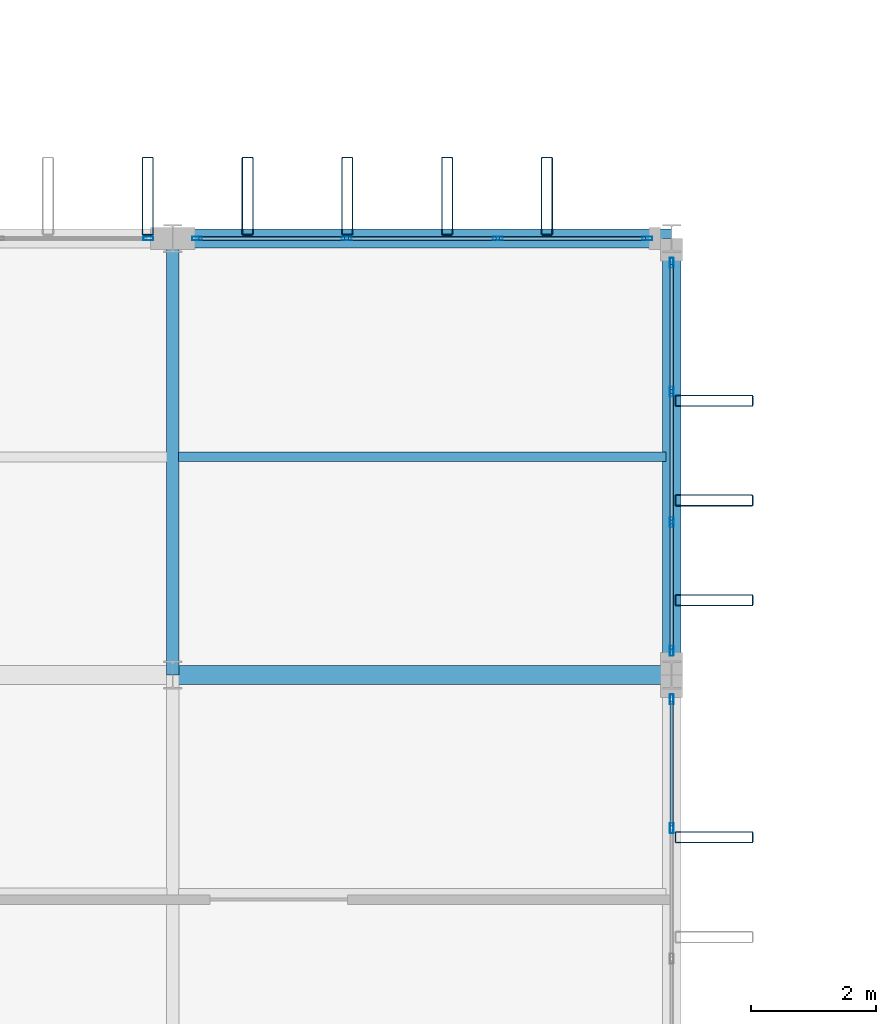
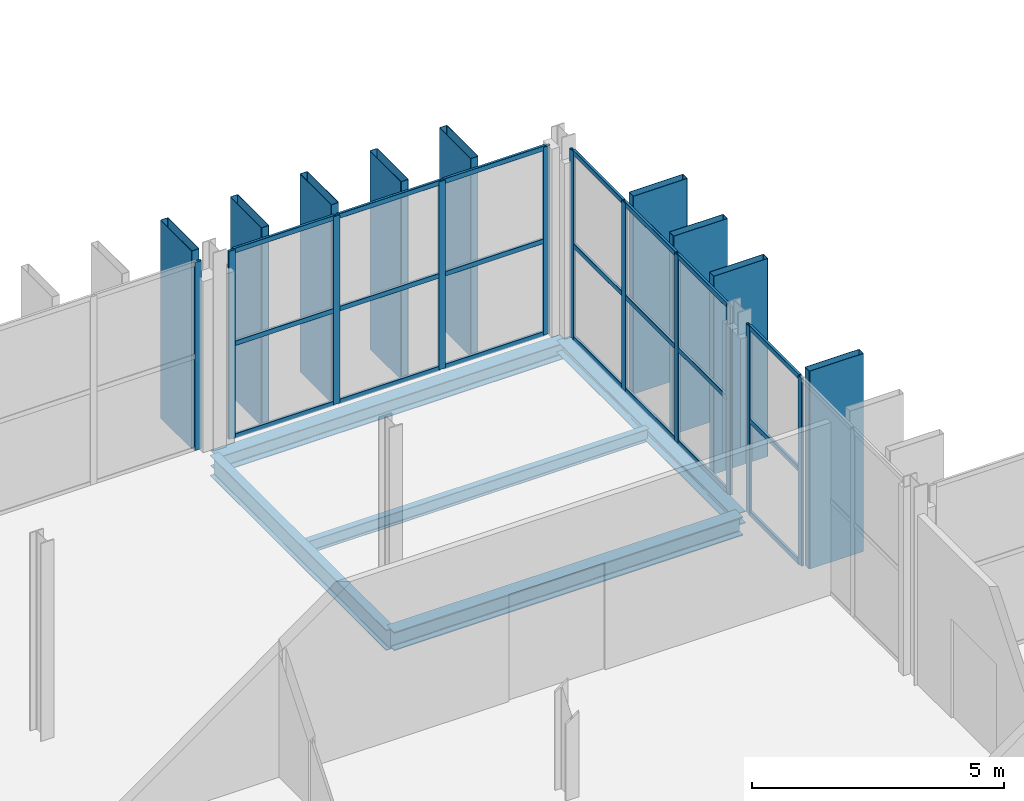
# One storey, part 52 of 120: 41 members, 5 beams, 4 elements without a shape of their own.
"""IFC4 building model written with IfcOpenShell, lengths in metres."""

from ifc_helpers import new_model, si_unit, direction, frame, origin, origin_2d, place, context, subcontext, project, spatial, hollow_rectangle, i_section, extrude, material, layer, layer_set, material_profile, profile_set, type_object, element, aggregate, save


model = new_model("IFC4")

# Units and contexts
model_context = context("Model", 3, precision=1e-05, world=origin(), true_north=direction((0.0, 1.0)))
body_context = subcontext(model_context, "Body", "Model", "MODEL_VIEW")
ifc_project = project(units=[si_unit("LENGTHUNIT", "METRE"), si_unit("AREAUNIT", "SQUARE_METRE"), si_unit("VOLUMEUNIT", "CUBIC_METRE"), si_unit("PLANEANGLEUNIT", "RADIAN"), si_unit("MASSUNIT", "GRAM", prefix="KILO")], contexts=[model_context])

# Site, building, storey
site_placement = place(None, origin())
site = spatial("IfcSite", under=ifc_project, at=site_placement, CompositionType="ELEMENT")
building_placement = place(site_placement, origin())
building = spatial("IfcBuilding", under=site, at=building_placement, Name="Vekula Escarpment Museum", CompositionType="ELEMENT")
storey_placement = place(building_placement, frame((0.0, 0.0, 13.199951171875)))
storey = spatial("IfcBuildingStorey", under=building, at=storey_placement, Name="L03", CompositionType="ELEMENT", Elevation=13.199951171875)

# Beams
ifc_material_1 = material(Name="Steel S355", Category="steel")
ifc_material_profile_1 = material_profile(ifc_material_1, i_section(OverallWidth=0.300048828125, OverallDepth=0.449951171875, WebThickness=0.013916015625, FlangeThickness=0.02587890625, FilletRadius=0.027099609375, at=origin_2d()), Name="HEB 450")
ifc_profile_set_1 = profile_set([ifc_material_profile_1], Name="Steel S355")
beam_type_1 = type_object("IfcBeamType", Name="BM-GIRD-HEB450", PredefinedType="BEAM", material=ifc_profile_set_1)
beam_1_placement = place(storey_placement, frame((118.0, 83.39990234375, -0.474853515625), z_axis=(1.0, 0.0, 0.0), x_axis=(0.0, 1.0, 0.0)))
element("IfcBeam", 1, at=beam_1_placement, inside=storey, type_object=beam_type_1, Name="Beam X L03 1412", PredefinedType="BEAM", context=body_context, shape_type="SweptSolid", body=[
    extrude(i_section(OverallWidth=0.300048828125, OverallDepth=0.449951171875, WebThickness=0.013916015625, FlangeThickness=0.02587890625, FilletRadius=0.027099609375, at=origin_2d()), origin(), (0.0, 0.0, 1.0), 8.0),
])
ifc_material_2 = material(Name="Steel S355", Category="steel")
ifc_material_profile_2 = material_profile(ifc_material_2, i_section(OverallWidth=0.199951171875, OverallDepth=0.5, WebThickness=0.01025390625, FlangeThickness=0.01611328125, FilletRadius=0.02099609375, at=origin_2d()), Name="IPE 500")
ifc_profile_set_2 = profile_set([ifc_material_profile_2], Name="Steel S355")
beam_type_2 = type_object("IfcBeamType", Name="BM-GIRD-IPE500", PredefinedType="BEAM", material=ifc_profile_set_2)
beam_2_placement = place(storey_placement, frame((118.0, 83.39990234375, -0.5), z_axis=(0.0, 1.0, 0.0), x_axis=(-1.0, 0.0, 0.0)))
element("IfcBeam", 2, at=beam_2_placement, inside=storey, type_object=beam_type_2, Name="Beam Y L03 1623", PredefinedType="BEAM", context=body_context, shape_type="SweptSolid", body=[
    extrude(i_section(OverallWidth=0.199951171875, OverallDepth=0.5, WebThickness=0.01025390625, FlangeThickness=0.01611328125, FilletRadius=0.02099609375, at=origin_2d()), origin(), (0.0, 0.0, 1.0), 7.0),
])
ifc_material_3 = material(Name="Steel S355", Category="steel")
ifc_material_profile_3 = material_profile(ifc_material_3, i_section(OverallWidth=0.14990234375, OverallDepth=0.300048828125, WebThickness=0.007080078125, FlangeThickness=0.0107421875, FilletRadius=0.014892578125, at=origin_2d()), Name="IPE 300")
ifc_profile_set_3 = profile_set([ifc_material_profile_3], Name="Steel S355")
beam_type_3 = type_object("IfcBeamType", Name="BM-JST-IPE300", PredefinedType="JOIST", material=ifc_profile_set_3)
beam_3_placement = place(storey_placement, frame((118.090087890625, 86.89990234375, -0.39990234375), z_axis=(1.0, 0.0, 0.0), x_axis=(0.0, 1.0, 0.0)))
element("IfcBeam", 3, at=beam_3_placement, inside=storey, type_object=beam_type_3, Name="Secondary Joist L03 1073", PredefinedType="JOIST", context=body_context, shape_type="SweptSolid", body=[
    extrude(i_section(OverallWidth=0.14990234375, OverallDepth=0.300048828125, WebThickness=0.007080078125, FlangeThickness=0.0107421875, FilletRadius=0.014892578125, at=origin_2d()), origin(), (0.0, 0.0, 1.0), 7.81982421875),
])
ifc_material_4 = material(Name="Steel S355", Category="steel")
ifc_material_profile_4 = material_profile(ifc_material_4, i_section(OverallWidth=0.300048828125, OverallDepth=0.2900390625, WebThickness=0.008544921875, FlangeThickness=0.013916015625, FilletRadius=0.027099609375, at=origin_2d()), Name="HEA 300")
ifc_profile_set_4 = profile_set([ifc_material_profile_4], Name="Steel S355")
beam_type_4 = type_object("IfcBeamType", Name="BM-SPAN-HEA300", PredefinedType="SPANDREL", material=ifc_profile_set_4)
beam_4_placement = place(storey_placement, frame((126.0, 83.39990234375, -0.39501953125), z_axis=(0.0, 1.0, 0.0), x_axis=(-1.0, 0.0, 0.0)))
element("IfcBeam", 4, at=beam_4_placement, inside=storey, type_object=beam_type_4, Name="Beam Y L03 1630", PredefinedType="SPANDREL", context=body_context, shape_type="SweptSolid", body=[
    extrude(i_section(OverallWidth=0.300048828125, OverallDepth=0.2900390625, WebThickness=0.008544921875, FlangeThickness=0.013916015625, FilletRadius=0.027099609375, at=origin_2d()), origin(), (0.0, 0.0, 1.0), 7.0),
])
ifc_material_5 = material(Name="Steel S355", Category="steel")
ifc_material_profile_5 = material_profile(ifc_material_5, i_section(OverallWidth=0.300048828125, OverallDepth=0.389892578125, WebThickness=0.010986328125, FlangeThickness=0.01904296875, FilletRadius=0.027099609375, at=origin_2d()), Name="HEA 400")
ifc_profile_set_5 = profile_set([ifc_material_profile_5], Name="Steel S355")
beam_type_5 = type_object("IfcBeamType", Name="BM-SPAN-HEA400", PredefinedType="SPANDREL", material=ifc_profile_set_5)
beam_5_placement = place(storey_placement, frame((118.0, 90.39990234375, -0.445068359375), z_axis=(1.0, 0.0, 0.0), x_axis=(0.0, 1.0, 0.0)))
element("IfcBeam", 5, at=beam_5_placement, inside=storey, type_object=beam_type_5, Name="Beam X L03 1422", PredefinedType="SPANDREL", context=body_context, shape_type="SweptSolid", body=[
    extrude(i_section(OverallWidth=0.300048828125, OverallDepth=0.389892578125, WebThickness=0.010986328125, FlangeThickness=0.01904296875, FilletRadius=0.027099609375, at=origin_2d()), origin(), (0.0, 0.0, 1.0), 8.0),
])

# Curtain wall, members
ifc_material_6 = material(Name="Aluminium thermally broken framing", Category="aluminium")
ifc_layer_1 = layer(ifc_material_6, 0.159912109375)
ifc_layer_set_1 = layer_set([ifc_layer_1], Name="Aluminium thermally broken framing")
curtain_wall_type_1 = type_object("IfcCurtainWallType", Name="CW-SYS-01", PredefinedType="NOTDEFINED", material=ifc_layer_set_1)
curtain_wall_1_placement = place(storey_placement, origin())
curtain_wall_1 = element("IfcCurtainWall", 6, at=curtain_wall_1_placement, inside=storey, type_object=curtain_wall_type_1, Name="Curtain Wall CW-L03-121", PredefinedType="NOTDEFINED")
ifc_material_7 = material(Name="Aluminium anodized mullion", Category="aluminium")
ifc_material_profile_6 = material_profile(ifc_material_7, hollow_rectangle(XDim=0.06005859375, YDim=0.159912109375, WallThickness=0.00390625, InnerFilletRadius=0.00390625, OuterFilletRadius=0.008056640625, at=origin_2d()), Name="ALU 160x60x4")
ifc_profile_set_6 = profile_set([ifc_material_profile_6], Name="Aluminium anodized mullion")
member_type_1 = type_object("IfcMemberType", Name="CW-MUL-160", PredefinedType="MULLION", material=ifc_profile_set_6)
member_1_placement = place(storey_placement, frame((126.0, 80.94677734375, 0.0), z_axis=(0.0, 0.0, 1.0), x_axis=(-1.0, 0.0, 0.0)))
member_1 = element("IfcMember", 7, at=member_1_placement, type_object=member_type_1, Name="CW-01 mullion 3", PredefinedType="MULLION", context=body_context, shape_type="SweptSolid", body=[
    extrude(hollow_rectangle(XDim=0.06005859375, YDim=0.159912109375, WallThickness=0.00390625, InnerFilletRadius=0.00390625, OuterFilletRadius=0.008056640625, at=origin_2d()), origin(), (0.0, 0.0, 1.0), 4.56005859375),
])
member_2_placement = place(storey_placement, frame((126.0, 83.010009765625, 0.0), z_axis=(0.0, 0.0, 1.0), x_axis=(-1.0, 0.0, 0.0)))
member_2 = element("IfcMember", 8, at=member_2_placement, type_object=member_type_1, Name="CW-01 mullion 4", PredefinedType="MULLION", context=body_context, shape_type="SweptSolid", body=[
    extrude(hollow_rectangle(XDim=0.06005859375, YDim=0.159912109375, WallThickness=0.00390625, InnerFilletRadius=0.00390625, OuterFilletRadius=0.008056640625, at=origin_2d()), origin(), (0.0, 0.0, 1.0), 4.56005859375),
])

ifc_material_8 = material(Name="Aluminium thermally broken framing", Category="aluminium")
ifc_layer_2 = layer(ifc_material_8, 0.159912109375)
ifc_layer_set_2 = layer_set([ifc_layer_2], Name="Aluminium thermally broken framing")
curtain_wall_type_2 = type_object("IfcCurtainWallType", Name="CW-SYS-02", PredefinedType="NOTDEFINED", material=ifc_layer_set_2)
curtain_wall_2_placement = place(storey_placement, origin())
curtain_wall_2 = element("IfcCurtainWall", 9, at=curtain_wall_2_placement, inside=storey, type_object=curtain_wall_type_2, Name="Curtain Wall CW-L03-122", PredefinedType="NOTDEFINED")
member_3_placement = place(storey_placement, frame((126.0, 83.7900390625, 0.0), z_axis=(0.0, 0.0, 1.0), x_axis=(-1.0, 0.0, 0.0)))
member_3 = element("IfcMember", 10, at=member_3_placement, type_object=member_type_1, Name="CW-02 mullion 1", PredefinedType="MULLION", context=body_context, shape_type="SweptSolid", body=[
    extrude(hollow_rectangle(XDim=0.06005859375, YDim=0.159912109375, WallThickness=0.00390625, InnerFilletRadius=0.00390625, OuterFilletRadius=0.008056640625, at=origin_2d()), origin(), (0.0, 0.0, 1.0), 4.56005859375),
])
member_4_placement = place(storey_placement, frame((126.0, 85.853271484375, 0.0), z_axis=(0.0, 0.0, 1.0), x_axis=(-1.0, 0.0, 0.0)))
member_4 = element("IfcMember", 11, at=member_4_placement, type_object=member_type_1, Name="CW-02 mullion 2", PredefinedType="MULLION", context=body_context, shape_type="SweptSolid", body=[
    extrude(hollow_rectangle(XDim=0.06005859375, YDim=0.159912109375, WallThickness=0.00390625, InnerFilletRadius=0.00390625, OuterFilletRadius=0.008056640625, at=origin_2d()), origin(), (0.0, 0.0, 1.0), 4.56005859375),
])
member_5_placement = place(storey_placement, frame((126.0, 87.94677734375, 0.0), z_axis=(0.0, 0.0, 1.0), x_axis=(-1.0, 0.0, 0.0)))
member_5 = element("IfcMember", 12, at=member_5_placement, type_object=member_type_1, Name="CW-02 mullion 3", PredefinedType="MULLION", context=body_context, shape_type="SweptSolid", body=[
    extrude(hollow_rectangle(XDim=0.06005859375, YDim=0.159912109375, WallThickness=0.00390625, InnerFilletRadius=0.00390625, OuterFilletRadius=0.008056640625, at=origin_2d()), origin(), (0.0, 0.0, 1.0), 4.56005859375),
])
member_6_placement = place(storey_placement, frame((126.0, 90.010009765625, 0.0), z_axis=(0.0, 0.0, 1.0), x_axis=(-1.0, 0.0, 0.0)))
member_6 = element("IfcMember", 13, at=member_6_placement, type_object=member_type_1, Name="CW-02 mullion 4", PredefinedType="MULLION", context=body_context, shape_type="SweptSolid", body=[
    extrude(hollow_rectangle(XDim=0.06005859375, YDim=0.159912109375, WallThickness=0.00390625, InnerFilletRadius=0.00390625, OuterFilletRadius=0.008056640625, at=origin_2d()), origin(), (0.0, 0.0, 1.0), 4.56005859375),
])

ifc_material_9 = material(Name="Aluminium thermally broken framing", Category="aluminium")
ifc_layer_3 = layer(ifc_material_9, 0.199951171875)
ifc_layer_set_3 = layer_set([ifc_layer_3], Name="Aluminium thermally broken framing")
curtain_wall_type_3 = type_object("IfcCurtainWallType", Name="CW-SYS-03", PredefinedType="NOTDEFINED", material=ifc_layer_set_3)
curtain_wall_3_placement = place(storey_placement, origin())
curtain_wall_3 = element("IfcCurtainWall", 14, at=curtain_wall_3_placement, inside=storey, type_object=curtain_wall_type_3, Name="Curtain Wall CW-L03-123", PredefinedType="NOTDEFINED")
member_7_placement = place(storey_placement, frame((125.610107421875, 90.39990234375, 0.0), z_axis=(0.0, 0.0, 1.0), x_axis=(0.0, -1.0, 0.0)))
member_7 = element("IfcMember", 15, at=member_7_placement, type_object=member_type_1, Name="CW-03 mullion 1", PredefinedType="MULLION", context=body_context, shape_type="SweptSolid", body=[
    extrude(hollow_rectangle(XDim=0.06005859375, YDim=0.159912109375, WallThickness=0.00390625, InnerFilletRadius=0.00390625, OuterFilletRadius=0.008056640625, at=origin_2d()), origin(), (0.0, 0.0, 1.0), 4.56005859375),
])
member_8_placement = place(storey_placement, frame((123.21337890625, 90.39990234375, 0.0), z_axis=(0.0, 0.0, 1.0), x_axis=(0.0, -1.0, 0.0)))
member_8 = element("IfcMember", 16, at=member_8_placement, type_object=member_type_1, Name="CW-03 mullion 2", PredefinedType="MULLION", context=body_context, shape_type="SweptSolid", body=[
    extrude(hollow_rectangle(XDim=0.06005859375, YDim=0.159912109375, WallThickness=0.00390625, InnerFilletRadius=0.00390625, OuterFilletRadius=0.008056640625, at=origin_2d()), origin(), (0.0, 0.0, 1.0), 4.56005859375),
])
member_9_placement = place(storey_placement, frame((120.78662109375, 90.39990234375, 0.0), z_axis=(0.0, 0.0, 1.0), x_axis=(0.0, -1.0, 0.0)))
member_9 = element("IfcMember", 17, at=member_9_placement, type_object=member_type_1, Name="CW-03 mullion 3", PredefinedType="MULLION", context=body_context, shape_type="SweptSolid", body=[
    extrude(hollow_rectangle(XDim=0.06005859375, YDim=0.159912109375, WallThickness=0.00390625, InnerFilletRadius=0.00390625, OuterFilletRadius=0.008056640625, at=origin_2d()), origin(), (0.0, 0.0, 1.0), 4.56005859375),
])
member_10_placement = place(storey_placement, frame((118.389892578125, 90.39990234375, 0.0), z_axis=(0.0, 0.0, 1.0), x_axis=(0.0, -1.0, 0.0)))
member_10 = element("IfcMember", 18, at=member_10_placement, type_object=member_type_1, Name="CW-03 mullion 4", PredefinedType="MULLION", context=body_context, shape_type="SweptSolid", body=[
    extrude(hollow_rectangle(XDim=0.06005859375, YDim=0.159912109375, WallThickness=0.00390625, InnerFilletRadius=0.00390625, OuterFilletRadius=0.008056640625, at=origin_2d()), origin(), (0.0, 0.0, 1.0), 4.56005859375),
])

# Curtain wall, member
ifc_material_10 = material(Name="Aluminium thermally broken framing", Category="aluminium")
ifc_layer_4 = layer(ifc_material_10, 0.199951171875)
ifc_layer_set_4 = layer_set([ifc_layer_4], Name="Aluminium thermally broken framing")
curtain_wall_type_4 = type_object("IfcCurtainWallType", Name="CW-SYS-04", PredefinedType="NOTDEFINED", material=ifc_layer_set_4)
curtain_wall_4_placement = place(storey_placement, origin())
curtain_wall_4 = element("IfcCurtainWall", 19, at=curtain_wall_4_placement, inside=storey, type_object=curtain_wall_type_4, Name="Curtain Wall CW-L03-124", PredefinedType="NOTDEFINED")
member_11_placement = place(storey_placement, frame((117.610107421875, 90.39990234375, 0.0), z_axis=(0.0, 0.0, 1.0), x_axis=(0.0, -1.0, 0.0)))
member_11 = element("IfcMember", 20, at=member_11_placement, type_object=member_type_1, Name="CW-04 mullion 1", PredefinedType="MULLION", context=body_context, shape_type="SweptSolid", body=[
    extrude(hollow_rectangle(XDim=0.06005859375, YDim=0.159912109375, WallThickness=0.00390625, InnerFilletRadius=0.00390625, OuterFilletRadius=0.008056640625, at=origin_2d()), origin(), (0.0, 0.0, 1.0), 4.56005859375),
])
aggregate(curtain_wall_4, [member_11])

# Member
ifc_material_11 = material(Name="Aluminium anodized transom", Category="aluminium")
ifc_material_profile_7 = material_profile(ifc_material_11, hollow_rectangle(XDim=0.06005859375, YDim=0.1201171875, WallThickness=0.00390625, InnerFilletRadius=0.00390625, OuterFilletRadius=0.008056640625, at=origin_2d()), Name="ALU 120x60x4")
ifc_profile_set_7 = profile_set([ifc_material_profile_7], Name="Aluminium anodized transom")
member_type_2 = type_object("IfcMemberType", Name="CW-TRN-120", PredefinedType="USERDEFINED", material=ifc_profile_set_7)
member_12_placement = place(storey_placement, frame((126.0, 80.9765625, 0.030029296875), z_axis=(0.0, 1.0, 0.0), x_axis=(-1.0, 0.0, 0.0)))
member_12 = element("IfcMember", 21, at=member_12_placement, type_object=member_type_2, Name="CW-01 transom 3.1", ObjectType="TRANSOM", PredefinedType="USERDEFINED", context=body_context, shape_type="SweptSolid", body=[
    extrude(hollow_rectangle(XDim=0.06005859375, YDim=0.1201171875, WallThickness=0.00390625, InnerFilletRadius=0.00390625, OuterFilletRadius=0.008056640625, at=origin_2d()), origin(), (0.0, 0.0, 1.0), 2.00341796875),
])

member_13_placement = place(storey_placement, frame((126.0, 80.9765625, 2.280029296875), z_axis=(0.0, 1.0, 0.0), x_axis=(-1.0, 0.0, 0.0)))
member_13 = element("IfcMember", 22, at=member_13_placement, type_object=member_type_2, Name="CW-01 transom 3.2", ObjectType="TRANSOM", PredefinedType="USERDEFINED", context=body_context, shape_type="SweptSolid", body=[
    extrude(hollow_rectangle(XDim=0.06005859375, YDim=0.1201171875, WallThickness=0.00390625, InnerFilletRadius=0.00390625, OuterFilletRadius=0.008056640625, at=origin_2d()), origin(), (0.0, 0.0, 1.0), 2.00341796875),
])

member_14_placement = place(storey_placement, frame((126.0, 80.9765625, 4.530029296875), z_axis=(0.0, 1.0, 0.0), x_axis=(-1.0, 0.0, 0.0)))
member_14 = element("IfcMember", 23, at=member_14_placement, type_object=member_type_2, Name="CW-01 transom 3.3", ObjectType="TRANSOM", PredefinedType="USERDEFINED", context=body_context, shape_type="SweptSolid", body=[
    extrude(hollow_rectangle(XDim=0.06005859375, YDim=0.1201171875, WallThickness=0.00390625, InnerFilletRadius=0.00390625, OuterFilletRadius=0.008056640625, at=origin_2d()), origin(), (0.0, 0.0, 1.0), 2.00341796875),
])

aggregate(curtain_wall_1, [member_1, member_2, member_12, member_13, member_14])

member_15_placement = place(storey_placement, frame((126.0, 83.820068359375, 0.030029296875), z_axis=(0.0, 1.0, 0.0), x_axis=(-1.0, 0.0, 0.0)))
member_15 = element("IfcMember", 24, at=member_15_placement, type_object=member_type_2, Name="CW-02 transom 1.1", ObjectType="TRANSOM", PredefinedType="USERDEFINED", context=body_context, shape_type="SweptSolid", body=[
    extrude(hollow_rectangle(XDim=0.06005859375, YDim=0.1201171875, WallThickness=0.00390625, InnerFilletRadius=0.00390625, OuterFilletRadius=0.008056640625, at=origin_2d()), origin(), (0.0, 0.0, 1.0), 2.003173828125),
])

member_16_placement = place(storey_placement, frame((126.0, 83.820068359375, 2.280029296875), z_axis=(0.0, 1.0, 0.0), x_axis=(-1.0, 0.0, 0.0)))
member_16 = element("IfcMember", 25, at=member_16_placement, type_object=member_type_2, Name="CW-02 transom 1.2", ObjectType="TRANSOM", PredefinedType="USERDEFINED", context=body_context, shape_type="SweptSolid", body=[
    extrude(hollow_rectangle(XDim=0.06005859375, YDim=0.1201171875, WallThickness=0.00390625, InnerFilletRadius=0.00390625, OuterFilletRadius=0.008056640625, at=origin_2d()), origin(), (0.0, 0.0, 1.0), 2.003173828125),
])

member_17_placement = place(storey_placement, frame((126.0, 83.820068359375, 4.530029296875), z_axis=(0.0, 1.0, 0.0), x_axis=(-1.0, 0.0, 0.0)))
member_17 = element("IfcMember", 26, at=member_17_placement, type_object=member_type_2, Name="CW-02 transom 1.3", ObjectType="TRANSOM", PredefinedType="USERDEFINED", context=body_context, shape_type="SweptSolid", body=[
    extrude(hollow_rectangle(XDim=0.06005859375, YDim=0.1201171875, WallThickness=0.00390625, InnerFilletRadius=0.00390625, OuterFilletRadius=0.008056640625, at=origin_2d()), origin(), (0.0, 0.0, 1.0), 2.003173828125),
])

member_18_placement = place(storey_placement, frame((126.0, 85.88330078125, 0.030029296875), z_axis=(0.0, 1.0, 0.0), x_axis=(-1.0, 0.0, 0.0)))
member_18 = element("IfcMember", 27, at=member_18_placement, type_object=member_type_2, Name="CW-02 transom 2.1", ObjectType="TRANSOM", PredefinedType="USERDEFINED", context=body_context, shape_type="SweptSolid", body=[
    extrude(hollow_rectangle(XDim=0.06005859375, YDim=0.1201171875, WallThickness=0.00390625, InnerFilletRadius=0.00390625, OuterFilletRadius=0.008056640625, at=origin_2d()), origin(), (0.0, 0.0, 1.0), 2.033447265625),
])

member_19_placement = place(storey_placement, frame((126.0, 85.88330078125, 2.280029296875), z_axis=(0.0, 1.0, 0.0), x_axis=(-1.0, 0.0, 0.0)))
member_19 = element("IfcMember", 28, at=member_19_placement, type_object=member_type_2, Name="CW-02 transom 2.2", ObjectType="TRANSOM", PredefinedType="USERDEFINED", context=body_context, shape_type="SweptSolid", body=[
    extrude(hollow_rectangle(XDim=0.06005859375, YDim=0.1201171875, WallThickness=0.00390625, InnerFilletRadius=0.00390625, OuterFilletRadius=0.008056640625, at=origin_2d()), origin(), (0.0, 0.0, 1.0), 2.033447265625),
])

member_20_placement = place(storey_placement, frame((126.0, 85.88330078125, 4.530029296875), z_axis=(0.0, 1.0, 0.0), x_axis=(-1.0, 0.0, 0.0)))
member_20 = element("IfcMember", 29, at=member_20_placement, type_object=member_type_2, Name="CW-02 transom 2.3", ObjectType="TRANSOM", PredefinedType="USERDEFINED", context=body_context, shape_type="SweptSolid", body=[
    extrude(hollow_rectangle(XDim=0.06005859375, YDim=0.1201171875, WallThickness=0.00390625, InnerFilletRadius=0.00390625, OuterFilletRadius=0.008056640625, at=origin_2d()), origin(), (0.0, 0.0, 1.0), 2.033447265625),
])

member_21_placement = place(storey_placement, frame((126.0, 87.9765625, 0.030029296875), z_axis=(0.0, 1.0, 0.0), x_axis=(-1.0, 0.0, 0.0)))
member_21 = element("IfcMember", 30, at=member_21_placement, type_object=member_type_2, Name="CW-02 transom 3.1", ObjectType="TRANSOM", PredefinedType="USERDEFINED", context=body_context, shape_type="SweptSolid", body=[
    extrude(hollow_rectangle(XDim=0.06005859375, YDim=0.1201171875, WallThickness=0.00390625, InnerFilletRadius=0.00390625, OuterFilletRadius=0.008056640625, at=origin_2d()), origin(), (0.0, 0.0, 1.0), 2.00341796875),
])

member_22_placement = place(storey_placement, frame((126.0, 87.9765625, 2.280029296875), z_axis=(0.0, 1.0, 0.0), x_axis=(-1.0, 0.0, 0.0)))
member_22 = element("IfcMember", 31, at=member_22_placement, type_object=member_type_2, Name="CW-02 transom 3.2", ObjectType="TRANSOM", PredefinedType="USERDEFINED", context=body_context, shape_type="SweptSolid", body=[
    extrude(hollow_rectangle(XDim=0.06005859375, YDim=0.1201171875, WallThickness=0.00390625, InnerFilletRadius=0.00390625, OuterFilletRadius=0.008056640625, at=origin_2d()), origin(), (0.0, 0.0, 1.0), 2.00341796875),
])

member_23_placement = place(storey_placement, frame((126.0, 87.9765625, 4.530029296875), z_axis=(0.0, 1.0, 0.0), x_axis=(-1.0, 0.0, 0.0)))
member_23 = element("IfcMember", 32, at=member_23_placement, type_object=member_type_2, Name="CW-02 transom 3.3", ObjectType="TRANSOM", PredefinedType="USERDEFINED", context=body_context, shape_type="SweptSolid", body=[
    extrude(hollow_rectangle(XDim=0.06005859375, YDim=0.1201171875, WallThickness=0.00390625, InnerFilletRadius=0.00390625, OuterFilletRadius=0.008056640625, at=origin_2d()), origin(), (0.0, 0.0, 1.0), 2.00341796875),
])

aggregate(curtain_wall_2, [member_3, member_4, member_5, member_6, member_15, member_16, member_17, member_18, member_19, member_20, member_21, member_22, member_23])

member_24_placement = place(storey_placement, frame((125.580078125, 90.39990234375, 0.030029296875), z_axis=(-1.0, 0.0, 0.0), x_axis=(0.0, -1.0, 0.0)))
member_24 = element("IfcMember", 33, at=member_24_placement, type_object=member_type_2, Name="CW-03 transom 1.1", ObjectType="TRANSOM", PredefinedType="USERDEFINED", context=body_context, shape_type="SweptSolid", body=[
    extrude(hollow_rectangle(XDim=0.06005859375, YDim=0.1201171875, WallThickness=0.00390625, InnerFilletRadius=0.00390625, OuterFilletRadius=0.008056640625, at=origin_2d()), origin(), (0.0, 0.0, 1.0), 2.336669921875),
])

member_25_placement = place(storey_placement, frame((125.580078125, 90.39990234375, 2.280029296875), z_axis=(-1.0, 0.0, 0.0), x_axis=(0.0, -1.0, 0.0)))
member_25 = element("IfcMember", 34, at=member_25_placement, type_object=member_type_2, Name="CW-03 transom 1.2", ObjectType="TRANSOM", PredefinedType="USERDEFINED", context=body_context, shape_type="SweptSolid", body=[
    extrude(hollow_rectangle(XDim=0.06005859375, YDim=0.1201171875, WallThickness=0.00390625, InnerFilletRadius=0.00390625, OuterFilletRadius=0.008056640625, at=origin_2d()), origin(), (0.0, 0.0, 1.0), 2.336669921875),
])

member_26_placement = place(storey_placement, frame((125.580078125, 90.39990234375, 4.530029296875), z_axis=(-1.0, 0.0, 0.0), x_axis=(0.0, -1.0, 0.0)))
member_26 = element("IfcMember", 35, at=member_26_placement, type_object=member_type_2, Name="CW-03 transom 1.3", ObjectType="TRANSOM", PredefinedType="USERDEFINED", context=body_context, shape_type="SweptSolid", body=[
    extrude(hollow_rectangle(XDim=0.06005859375, YDim=0.1201171875, WallThickness=0.00390625, InnerFilletRadius=0.00390625, OuterFilletRadius=0.008056640625, at=origin_2d()), origin(), (0.0, 0.0, 1.0), 2.336669921875),
])

member_27_placement = place(storey_placement, frame((123.183349609375, 90.39990234375, 0.030029296875), z_axis=(-1.0, 0.0, 0.0), x_axis=(0.0, -1.0, 0.0)))
member_27 = element("IfcMember", 36, at=member_27_placement, type_object=member_type_2, Name="CW-03 transom 2.1", ObjectType="TRANSOM", PredefinedType="USERDEFINED", context=body_context, shape_type="SweptSolid", body=[
    extrude(hollow_rectangle(XDim=0.06005859375, YDim=0.1201171875, WallThickness=0.00390625, InnerFilletRadius=0.00390625, OuterFilletRadius=0.008056640625, at=origin_2d()), origin(), (0.0, 0.0, 1.0), 2.36669921875),
])

member_28_placement = place(storey_placement, frame((123.183349609375, 90.39990234375, 2.280029296875), z_axis=(-1.0, 0.0, 0.0), x_axis=(0.0, -1.0, 0.0)))
member_28 = element("IfcMember", 37, at=member_28_placement, type_object=member_type_2, Name="CW-03 transom 2.2", ObjectType="TRANSOM", PredefinedType="USERDEFINED", context=body_context, shape_type="SweptSolid", body=[
    extrude(hollow_rectangle(XDim=0.06005859375, YDim=0.1201171875, WallThickness=0.00390625, InnerFilletRadius=0.00390625, OuterFilletRadius=0.008056640625, at=origin_2d()), origin(), (0.0, 0.0, 1.0), 2.36669921875),
])

member_29_placement = place(storey_placement, frame((123.183349609375, 90.39990234375, 4.530029296875), z_axis=(-1.0, 0.0, 0.0), x_axis=(0.0, -1.0, 0.0)))
member_29 = element("IfcMember", 38, at=member_29_placement, type_object=member_type_2, Name="CW-03 transom 2.3", ObjectType="TRANSOM", PredefinedType="USERDEFINED", context=body_context, shape_type="SweptSolid", body=[
    extrude(hollow_rectangle(XDim=0.06005859375, YDim=0.1201171875, WallThickness=0.00390625, InnerFilletRadius=0.00390625, OuterFilletRadius=0.008056640625, at=origin_2d()), origin(), (0.0, 0.0, 1.0), 2.36669921875),
])

member_30_placement = place(storey_placement, frame((120.756591796875, 90.39990234375, 0.030029296875), z_axis=(-1.0, 0.0, 0.0), x_axis=(0.0, -1.0, 0.0)))
member_30 = element("IfcMember", 39, at=member_30_placement, type_object=member_type_2, Name="CW-03 transom 3.1", ObjectType="TRANSOM", PredefinedType="USERDEFINED", context=body_context, shape_type="SweptSolid", body=[
    extrude(hollow_rectangle(XDim=0.06005859375, YDim=0.1201171875, WallThickness=0.00390625, InnerFilletRadius=0.00390625, OuterFilletRadius=0.008056640625, at=origin_2d()), origin(), (0.0, 0.0, 1.0), 2.336669921875),
])

member_31_placement = place(storey_placement, frame((120.756591796875, 90.39990234375, 2.280029296875), z_axis=(-1.0, 0.0, 0.0), x_axis=(0.0, -1.0, 0.0)))
member_31 = element("IfcMember", 40, at=member_31_placement, type_object=member_type_2, Name="CW-03 transom 3.2", ObjectType="TRANSOM", PredefinedType="USERDEFINED", context=body_context, shape_type="SweptSolid", body=[
    extrude(hollow_rectangle(XDim=0.06005859375, YDim=0.1201171875, WallThickness=0.00390625, InnerFilletRadius=0.00390625, OuterFilletRadius=0.008056640625, at=origin_2d()), origin(), (0.0, 0.0, 1.0), 2.336669921875),
])

member_32_placement = place(storey_placement, frame((120.756591796875, 90.39990234375, 4.530029296875), z_axis=(-1.0, 0.0, 0.0), x_axis=(0.0, -1.0, 0.0)))
member_32 = element("IfcMember", 41, at=member_32_placement, type_object=member_type_2, Name="CW-03 transom 3.3", ObjectType="TRANSOM", PredefinedType="USERDEFINED", context=body_context, shape_type="SweptSolid", body=[
    extrude(hollow_rectangle(XDim=0.06005859375, YDim=0.1201171875, WallThickness=0.00390625, InnerFilletRadius=0.00390625, OuterFilletRadius=0.008056640625, at=origin_2d()), origin(), (0.0, 0.0, 1.0), 2.336669921875),
])

aggregate(curtain_wall_3, [member_7, member_8, member_9, member_10, member_24, member_25, member_26, member_27, member_28, member_29, member_30, member_31, member_32])

# Members
ifc_material_12 = material(Name="Steel S355 weathered bronze solar fin", Category="steel")
ifc_material_profile_8 = material_profile(ifc_material_12, hollow_rectangle(XDim=0.179931640625, YDim=1.25, WallThickness=0.010009765625, InnerFilletRadius=0.010009765625, OuterFilletRadius=0.02001953125, at=origin_2d()), Name="RHS 1250x180x10")
ifc_profile_set_8 = profile_set([ifc_material_profile_8], Name="Steel S355 weathered bronze solar fin")
member_type_3 = type_object("IfcMemberType", Name="MB-SOLAR-FIN", PredefinedType="USERDEFINED", material=ifc_profile_set_8)
for number, where, z_axis, x_axis, name in (
    (42, (117.60009765625, 91.080078125, 0.0), (0.0, 0.0, 1.0), (1.0, 0.0, 0.0), "Great Hall Vertical Solar Fin 0258"),
    (43, (119.199951171875, 91.080078125, 0.0), (0.0, 0.0, 1.0), (1.0, 0.0, 0.0), "Great Hall Vertical Solar Fin 0263"),
    (44, (120.800048828125, 91.080078125, 0.0), (0.0, 0.0, 1.0), (1.0, 0.0, 0.0), "Great Hall Vertical Solar Fin 0268"),
    (45, (122.39990234375, 91.080078125, 0.0), (0.0, 0.0, 1.0), (1.0, 0.0, 0.0), "Great Hall Vertical Solar Fin 0273"),
    (46, (124.0, 91.080078125, 0.0), (0.0, 0.0, 1.0), (1.0, 0.0, 0.0), "Great Hall Vertical Solar Fin 0278"),
    (47, (126.679931640625, 80.800048828125, 0.0), (0.0, 0.0, 1.0), (0.0, 1.0, 0.0), "Great Hall Vertical Solar Fin 0398"),
    (48, (126.679931640625, 84.60009765625, 0.0), (0.0, 0.0, 1.0), (0.0, 1.0, 0.0), "Great Hall Vertical Solar Fin 0403"),
    (49, (126.679931640625, 86.199951171875, 0.0), (0.0, 0.0, 1.0), (0.0, 1.0, 0.0), "Great Hall Vertical Solar Fin 0408"),
    (50, (126.679931640625, 87.800048828125, 0.0), (0.0, 0.0, 1.0), (0.0, 1.0, 0.0), "Great Hall Vertical Solar Fin 0413"),
):
    element("IfcMember", number, at=place(storey_placement, frame(where, z_axis=z_axis, x_axis=x_axis)), inside=storey, type_object=member_type_3, Name=name, ObjectType="SOLAR FIN", PredefinedType="USERDEFINED", context=body_context, shape_type="SweptSolid", body=[
        extrude(hollow_rectangle(XDim=0.179931640625, YDim=1.25, WallThickness=0.010009765625, InnerFilletRadius=0.010009765625, OuterFilletRadius=0.02001953125, at=origin_2d()), origin(), (0.0, 0.0, 1.0), 4.800048828125),
    ])

save(model, "model.ifc")
